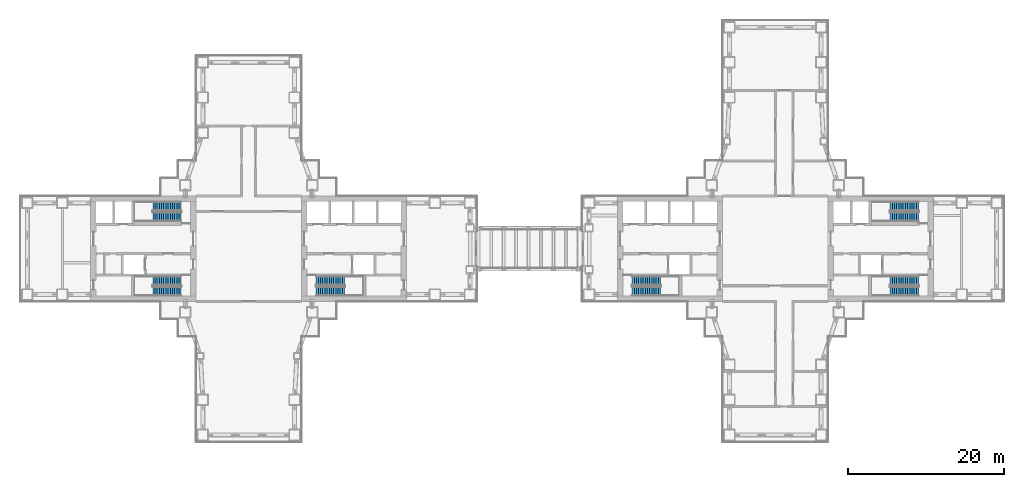
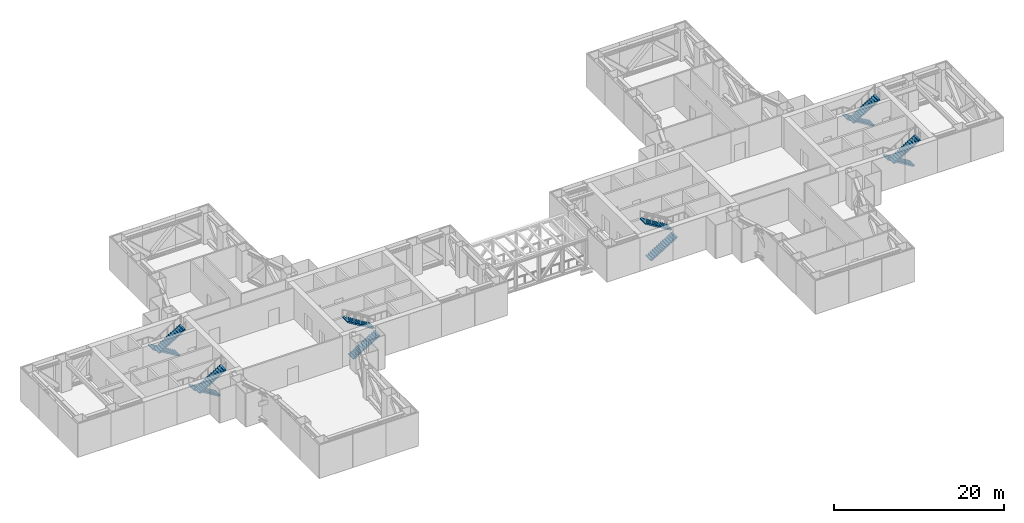
# One storey, part 15 of 23: 12 stair flights, 6 elements without a shape of their own.
"""IFC4 building model written with IfcOpenShell, lengths in metres."""

from ifc_helpers import new_model, si_unit, direction, frame, origin, place, context, subcontext, project, spatial, polyline, outline, extrude, material, type_object, element, aggregate, save


model = new_model("IFC4")

# Units and contexts
model_context = context("Model", 3, precision=1e-05, world=origin(), true_north=direction((0.0, 1.0)))
body_context = subcontext(model_context, "Body", "Model", "MODEL_VIEW")
ifc_project = project(units=[si_unit("LENGTHUNIT", "METRE"), si_unit("AREAUNIT", "SQUARE_METRE"), si_unit("VOLUMEUNIT", "CUBIC_METRE"), si_unit("PLANEANGLEUNIT", "RADIAN"), si_unit("MASSUNIT", "GRAM", prefix="KILO")], contexts=[model_context])

# Site, building, storey
site_placement = place(None, origin())
site = spatial("IfcSite", under=ifc_project, at=site_placement, CompositionType="ELEMENT")
building_placement = place(site_placement, origin())
building = spatial("IfcBuilding", under=site, at=building_placement, Name="Shamsa Quay Exchange Towers", CompositionType="ELEMENT")
storey_placement = place(building_placement, frame((0.0, 0.0, 77.10009765625)))
storey = spatial("IfcBuildingStorey", under=building, at=storey_placement, Name="L17", CompositionType="ELEMENT", Elevation=77.10009765625)

# Stair, stair flights
ifc_material = material(Name="Concrete C40/50", Category="concrete")
stair_type = type_object("IfcStairType", Name="EXIT STAIR 28 RISERS 171 MM", PredefinedType="HALF_TURN_STAIR", material=ifc_material)
stair_1_placement = place(storey_placement, origin())
stair_1 = element("IfcStair", 1, at=stair_1_placement, inside=storey, type_object=stair_type, Name="L17 Exit stair ST1", PredefinedType="HALF_TURN_STAIR")
stair_flight_type = type_object("IfcStairFlightType", Name="EXIT STAIR FLIGHT 14 RISERS 171 MM", PredefinedType="STRAIGHT", material=ifc_material)
stair_flight_1_placement = place(storey_placement, frame((-25.10009765625, -5.449951171875, 0.0)))
stair_flight_1 = element("IfcStairFlight", 2, at=stair_flight_1_placement, type_object=stair_flight_type, Name="ST1 flight 1", NumberOfRisers=14, NumberOfTreads=13, PredefinedType="STRAIGHT", RiserHeight=0.171428571, TreadLength=0.28, context=body_context, shape_type="SweptSolid", body=[
    extrude(outline(polyline([(0.0, 0.0), (0.0, 0.17138671875), (0.280029296875, 0.17138671875), (0.280029296875, 0.3427734375), (0.56005859375, 0.3427734375), (0.56005859375, 0.514404296875), (0.840087890625, 0.514404296875), (0.840087890625, 0.685791015625), (1.1201171875, 0.685791015625), (1.1201171875, 0.857177734375), (1.39990234375, 0.857177734375), (1.39990234375, 1.028564453125), (1.679931640625, 1.028564453125), (1.679931640625, 1.199951171875), (1.9599609375, 1.199951171875), (1.9599609375, 1.371337890625), (2.239990234375, 1.371337890625), (2.239990234375, 1.54296875), (2.52001953125, 1.54296875), (2.52001953125, 1.71435546875), (2.800048828125, 1.71435546875), (2.800048828125, 1.8857421875), (3.080078125, 1.8857421875), (3.080078125, 2.05712890625), (3.360107421875, 2.05712890625), (3.360107421875, 2.228515625), (3.639892578125, 2.228515625), (3.639892578125, 2.39990234375), (3.639892578125, 2.064453125), (0.267822265625, 0.0), (0.0, 0.0)])), frame((0.0, 0.60009765625, 0.0), z_axis=(0.0, -1.0, 0.0), x_axis=(1.0, 0.0, 0.0)), (0.0, 0.0, 1.0), 1.199951171875),
])
stair_flight_2_placement = place(storey_placement, frame((-21.4599609375, -4.10009765625, 2.39990234375), z_axis=(0.0, 0.0, 1.0), x_axis=(-1.0, 0.0, 0.0)))
stair_flight_2 = element("IfcStairFlight", 3, at=stair_flight_2_placement, type_object=stair_flight_type, Name="ST1 flight 2", NumberOfRisers=14, NumberOfTreads=13, PredefinedType="STRAIGHT", RiserHeight=0.171428571, TreadLength=0.28, context=body_context, shape_type="SweptSolid", body=[
    extrude(outline(polyline([(0.0, 0.0), (0.0, 0.17138671875), (0.280029296875, 0.17138671875), (0.280029296875, 0.3427734375), (0.56005859375, 0.3427734375), (0.56005859375, 0.514404296875), (0.840087890625, 0.514404296875), (0.840087890625, 0.685791015625), (1.1201171875, 0.685791015625), (1.1201171875, 0.857177734375), (1.39990234375, 0.857177734375), (1.39990234375, 1.028564453125), (1.679931640625, 1.028564453125), (1.679931640625, 1.199951171875), (1.9599609375, 1.199951171875), (1.9599609375, 1.371337890625), (2.239990234375, 1.371337890625), (2.239990234375, 1.54296875), (2.52001953125, 1.54296875), (2.52001953125, 1.71435546875), (2.800048828125, 1.71435546875), (2.800048828125, 1.8857421875), (3.080078125, 1.8857421875), (3.080078125, 2.05712890625), (3.360107421875, 2.05712890625), (3.360107421875, 2.228515625), (3.639892578125, 2.228515625), (3.639892578125, 2.39990234375), (3.639892578125, 2.064453125), (0.267822265625, 0.0), (0.0, 0.0)])), frame((0.0, 0.60009765625, 0.0), z_axis=(0.0, -1.0, 0.0), x_axis=(1.0, 0.0, 0.0)), (0.0, 0.0, 1.0), 1.199951171875),
])
aggregate(stair_1, [stair_flight_1, stair_flight_2])

stair_2_placement = place(storey_placement, origin())
stair_2 = element("IfcStair", 4, at=stair_2_placement, inside=storey, type_object=stair_type, Name="L17 Exit stair ST2", PredefinedType="HALF_TURN_STAIR")
stair_flight_3_placement = place(storey_placement, frame((-42.39990234375, -4.10009765625, 0.0), z_axis=(0.0, 0.0, 1.0), x_axis=(-1.0, 0.0, 0.0)))
stair_flight_3 = element("IfcStairFlight", 5, at=stair_flight_3_placement, type_object=stair_flight_type, Name="ST2 flight 1", NumberOfRisers=14, NumberOfTreads=13, PredefinedType="STRAIGHT", RiserHeight=0.171428571, TreadLength=0.28, context=body_context, shape_type="SweptSolid", body=[
    extrude(outline(polyline([(0.0, 0.0), (0.0, 0.17138671875), (0.280029296875, 0.17138671875), (0.280029296875, 0.3427734375), (0.56005859375, 0.3427734375), (0.56005859375, 0.514404296875), (0.840087890625, 0.514404296875), (0.840087890625, 0.685791015625), (1.1201171875, 0.685791015625), (1.1201171875, 0.857177734375), (1.39990234375, 0.857177734375), (1.39990234375, 1.028564453125), (1.679931640625, 1.028564453125), (1.679931640625, 1.199951171875), (1.9599609375, 1.199951171875), (1.9599609375, 1.371337890625), (2.239990234375, 1.371337890625), (2.239990234375, 1.54296875), (2.52001953125, 1.54296875), (2.52001953125, 1.71435546875), (2.800048828125, 1.71435546875), (2.800048828125, 1.8857421875), (3.080078125, 1.8857421875), (3.080078125, 2.05712890625), (3.360107421875, 2.05712890625), (3.360107421875, 2.228515625), (3.639892578125, 2.228515625), (3.639892578125, 2.39990234375), (3.639892578125, 2.064453125), (0.267822265625, 0.0), (0.0, 0.0)])), frame((0.0, 0.60009765625, 0.0), z_axis=(0.0, -1.0, 0.0), x_axis=(1.0, 0.0, 0.0)), (0.0, 0.0, 1.0), 1.199951171875),
])
stair_flight_4_placement = place(storey_placement, frame((-46.0400390625, -5.449951171875, 2.39990234375)))
stair_flight_4 = element("IfcStairFlight", 6, at=stair_flight_4_placement, type_object=stair_flight_type, Name="ST2 flight 2", NumberOfRisers=14, NumberOfTreads=13, PredefinedType="STRAIGHT", RiserHeight=0.171428571, TreadLength=0.28, context=body_context, shape_type="SweptSolid", body=[
    extrude(outline(polyline([(0.0, 0.0), (0.0, 0.17138671875), (0.280029296875, 0.17138671875), (0.280029296875, 0.3427734375), (0.56005859375, 0.3427734375), (0.56005859375, 0.514404296875), (0.840087890625, 0.514404296875), (0.840087890625, 0.685791015625), (1.1201171875, 0.685791015625), (1.1201171875, 0.857177734375), (1.39990234375, 0.857177734375), (1.39990234375, 1.028564453125), (1.679931640625, 1.028564453125), (1.679931640625, 1.199951171875), (1.9599609375, 1.199951171875), (1.9599609375, 1.371337890625), (2.239990234375, 1.371337890625), (2.239990234375, 1.54296875), (2.52001953125, 1.54296875), (2.52001953125, 1.71435546875), (2.800048828125, 1.71435546875), (2.800048828125, 1.8857421875), (3.080078125, 1.8857421875), (3.080078125, 2.05712890625), (3.360107421875, 2.05712890625), (3.360107421875, 2.228515625), (3.639892578125, 2.228515625), (3.639892578125, 2.39990234375), (3.639892578125, 2.064453125), (0.267822265625, 0.0), (0.0, 0.0)])), frame((0.0, 0.60009765625, 0.0), z_axis=(0.0, -1.0, 0.0), x_axis=(1.0, 0.0, 0.0)), (0.0, 0.0, 1.0), 1.199951171875),
])
aggregate(stair_2, [stair_flight_3, stair_flight_4])

stair_3_placement = place(storey_placement, origin())
stair_3 = element("IfcStair", 7, at=stair_3_placement, inside=storey, type_object=stair_type, Name="L17 Exit stair ST3", PredefinedType="HALF_TURN_STAIR")
stair_flight_5_placement = place(storey_placement, frame((-42.39990234375, 5.449951171875, 0.0), z_axis=(0.0, 0.0, 1.0), x_axis=(-1.0, 0.0, 0.0)))
stair_flight_5 = element("IfcStairFlight", 8, at=stair_flight_5_placement, type_object=stair_flight_type, Name="ST3 flight 1", NumberOfRisers=14, NumberOfTreads=13, PredefinedType="STRAIGHT", RiserHeight=0.171428571, TreadLength=0.28, context=body_context, shape_type="SweptSolid", body=[
    extrude(outline(polyline([(0.0, 0.0), (0.0, 0.17138671875), (0.280029296875, 0.17138671875), (0.280029296875, 0.3427734375), (0.56005859375, 0.3427734375), (0.56005859375, 0.514404296875), (0.840087890625, 0.514404296875), (0.840087890625, 0.685791015625), (1.1201171875, 0.685791015625), (1.1201171875, 0.857177734375), (1.39990234375, 0.857177734375), (1.39990234375, 1.028564453125), (1.679931640625, 1.028564453125), (1.679931640625, 1.199951171875), (1.9599609375, 1.199951171875), (1.9599609375, 1.371337890625), (2.239990234375, 1.371337890625), (2.239990234375, 1.54296875), (2.52001953125, 1.54296875), (2.52001953125, 1.71435546875), (2.800048828125, 1.71435546875), (2.800048828125, 1.8857421875), (3.080078125, 1.8857421875), (3.080078125, 2.05712890625), (3.360107421875, 2.05712890625), (3.360107421875, 2.228515625), (3.639892578125, 2.228515625), (3.639892578125, 2.39990234375), (3.639892578125, 2.064453125), (0.267822265625, 0.0), (0.0, 0.0)])), frame((0.0, 0.60009765625, 0.0), z_axis=(0.0, -1.0, 0.0), x_axis=(1.0, 0.0, 0.0)), (0.0, 0.0, 1.0), 1.199951171875),
])
stair_flight_6_placement = place(storey_placement, frame((-46.0400390625, 4.10009765625, 2.39990234375)))
stair_flight_6 = element("IfcStairFlight", 9, at=stair_flight_6_placement, type_object=stair_flight_type, Name="ST3 flight 2", NumberOfRisers=14, NumberOfTreads=13, PredefinedType="STRAIGHT", RiserHeight=0.171428571, TreadLength=0.28, context=body_context, shape_type="SweptSolid", body=[
    extrude(outline(polyline([(0.0, 0.0), (0.0, 0.17138671875), (0.280029296875, 0.17138671875), (0.280029296875, 0.3427734375), (0.56005859375, 0.3427734375), (0.56005859375, 0.514404296875), (0.840087890625, 0.514404296875), (0.840087890625, 0.685791015625), (1.1201171875, 0.685791015625), (1.1201171875, 0.857177734375), (1.39990234375, 0.857177734375), (1.39990234375, 1.028564453125), (1.679931640625, 1.028564453125), (1.679931640625, 1.199951171875), (1.9599609375, 1.199951171875), (1.9599609375, 1.371337890625), (2.239990234375, 1.371337890625), (2.239990234375, 1.54296875), (2.52001953125, 1.54296875), (2.52001953125, 1.71435546875), (2.800048828125, 1.71435546875), (2.800048828125, 1.8857421875), (3.080078125, 1.8857421875), (3.080078125, 2.05712890625), (3.360107421875, 2.05712890625), (3.360107421875, 2.228515625), (3.639892578125, 2.228515625), (3.639892578125, 2.39990234375), (3.639892578125, 2.064453125), (0.267822265625, 0.0), (0.0, 0.0)])), frame((0.0, 0.60009765625, 0.0), z_axis=(0.0, -1.0, 0.0), x_axis=(1.0, 0.0, 0.0)), (0.0, 0.0, 1.0), 1.199951171875),
])
aggregate(stair_3, [stair_flight_5, stair_flight_6])

stair_4_placement = place(storey_placement, origin())
stair_4 = element("IfcStair", 10, at=stair_4_placement, inside=storey, type_object=stair_type, Name="L17 Exit stair ST4", PredefinedType="HALF_TURN_STAIR")
stair_flight_7_placement = place(storey_placement, frame((15.39990234375, -5.449951171875, 0.0)))
stair_flight_7 = element("IfcStairFlight", 11, at=stair_flight_7_placement, type_object=stair_flight_type, Name="ST4 flight 1", NumberOfRisers=14, NumberOfTreads=13, PredefinedType="STRAIGHT", RiserHeight=0.171428571, TreadLength=0.28, context=body_context, shape_type="SweptSolid", body=[
    extrude(outline(polyline([(0.0, 0.0), (0.0, 0.17138671875), (0.280029296875, 0.17138671875), (0.280029296875, 0.3427734375), (0.56005859375, 0.3427734375), (0.56005859375, 0.514404296875), (0.840087890625, 0.514404296875), (0.840087890625, 0.685791015625), (1.1201171875, 0.685791015625), (1.1201171875, 0.857177734375), (1.39990234375, 0.857177734375), (1.39990234375, 1.028564453125), (1.679931640625, 1.028564453125), (1.679931640625, 1.199951171875), (1.9599609375, 1.199951171875), (1.9599609375, 1.371337890625), (2.239990234375, 1.371337890625), (2.239990234375, 1.54296875), (2.52001953125, 1.54296875), (2.52001953125, 1.71435546875), (2.800048828125, 1.71435546875), (2.800048828125, 1.8857421875), (3.080078125, 1.8857421875), (3.080078125, 2.05712890625), (3.360107421875, 2.05712890625), (3.360107421875, 2.228515625), (3.639892578125, 2.228515625), (3.639892578125, 2.39990234375), (3.639892578125, 2.064453125), (0.267822265625, 0.0), (0.0, 0.0)])), frame((0.0, 0.60009765625, 0.0), z_axis=(0.0, -1.0, 0.0), x_axis=(1.0, 0.0, 0.0)), (0.0, 0.0, 1.0), 1.199951171875),
])
stair_flight_8_placement = place(storey_placement, frame((19.0400390625, -4.10009765625, 2.39990234375), z_axis=(0.0, 0.0, 1.0), x_axis=(-1.0, 0.0, 0.0)))
stair_flight_8 = element("IfcStairFlight", 12, at=stair_flight_8_placement, type_object=stair_flight_type, Name="ST4 flight 2", NumberOfRisers=14, NumberOfTreads=13, PredefinedType="STRAIGHT", RiserHeight=0.171428571, TreadLength=0.28, context=body_context, shape_type="SweptSolid", body=[
    extrude(outline(polyline([(0.0, 0.0), (0.0, 0.17138671875), (0.280029296875, 0.17138671875), (0.280029296875, 0.3427734375), (0.56005859375, 0.3427734375), (0.56005859375, 0.514404296875), (0.840087890625, 0.514404296875), (0.840087890625, 0.685791015625), (1.1201171875, 0.685791015625), (1.1201171875, 0.857177734375), (1.39990234375, 0.857177734375), (1.39990234375, 1.028564453125), (1.679931640625, 1.028564453125), (1.679931640625, 1.199951171875), (1.9599609375, 1.199951171875), (1.9599609375, 1.371337890625), (2.239990234375, 1.371337890625), (2.239990234375, 1.54296875), (2.52001953125, 1.54296875), (2.52001953125, 1.71435546875), (2.800048828125, 1.71435546875), (2.800048828125, 1.8857421875), (3.080078125, 1.8857421875), (3.080078125, 2.05712890625), (3.360107421875, 2.05712890625), (3.360107421875, 2.228515625), (3.639892578125, 2.228515625), (3.639892578125, 2.39990234375), (3.639892578125, 2.064453125), (0.267822265625, 0.0), (0.0, 0.0)])), frame((0.0, 0.60009765625, 0.0), z_axis=(0.0, -1.0, 0.0), x_axis=(1.0, 0.0, 0.0)), (0.0, 0.0, 1.0), 1.199951171875),
])
aggregate(stair_4, [stair_flight_7, stair_flight_8])

stair_5_placement = place(storey_placement, origin())
stair_5 = element("IfcStair", 13, at=stair_5_placement, inside=storey, type_object=stair_type, Name="L17 Exit stair ST5", PredefinedType="HALF_TURN_STAIR")
stair_flight_9_placement = place(storey_placement, frame((52.10009765625, -4.10009765625, 0.0), z_axis=(0.0, 0.0, 1.0), x_axis=(-1.0, 0.0, 0.0)))
stair_flight_9 = element("IfcStairFlight", 14, at=stair_flight_9_placement, type_object=stair_flight_type, Name="ST5 flight 1", NumberOfRisers=14, NumberOfTreads=13, PredefinedType="STRAIGHT", RiserHeight=0.171428571, TreadLength=0.28, context=body_context, shape_type="SweptSolid", body=[
    extrude(outline(polyline([(0.0, 0.0), (0.0, 0.17138671875), (0.280029296875, 0.17138671875), (0.280029296875, 0.3427734375), (0.56005859375, 0.3427734375), (0.56005859375, 0.514404296875), (0.840087890625, 0.514404296875), (0.840087890625, 0.685791015625), (1.1201171875, 0.685791015625), (1.1201171875, 0.857177734375), (1.39990234375, 0.857177734375), (1.39990234375, 1.028564453125), (1.679931640625, 1.028564453125), (1.679931640625, 1.199951171875), (1.9599609375, 1.199951171875), (1.9599609375, 1.371337890625), (2.239990234375, 1.371337890625), (2.239990234375, 1.54296875), (2.52001953125, 1.54296875), (2.52001953125, 1.71435546875), (2.800048828125, 1.71435546875), (2.800048828125, 1.8857421875), (3.080078125, 1.8857421875), (3.080078125, 2.05712890625), (3.360107421875, 2.05712890625), (3.360107421875, 2.228515625), (3.639892578125, 2.228515625), (3.639892578125, 2.39990234375), (3.639892578125, 2.064453125), (0.267822265625, 0.0), (0.0, 0.0)])), frame((0.0, 0.60009765625, 0.0), z_axis=(0.0, -1.0, 0.0), x_axis=(1.0, 0.0, 0.0)), (0.0, 0.0, 1.0), 1.199951171875),
])
stair_flight_10_placement = place(storey_placement, frame((48.4599609375, -5.449951171875, 2.39990234375)))
stair_flight_10 = element("IfcStairFlight", 15, at=stair_flight_10_placement, type_object=stair_flight_type, Name="ST5 flight 2", NumberOfRisers=14, NumberOfTreads=13, PredefinedType="STRAIGHT", RiserHeight=0.171428571, TreadLength=0.28, context=body_context, shape_type="SweptSolid", body=[
    extrude(outline(polyline([(0.0, 0.0), (0.0, 0.17138671875), (0.280029296875, 0.17138671875), (0.280029296875, 0.3427734375), (0.56005859375, 0.3427734375), (0.56005859375, 0.514404296875), (0.840087890625, 0.514404296875), (0.840087890625, 0.685791015625), (1.1201171875, 0.685791015625), (1.1201171875, 0.857177734375), (1.39990234375, 0.857177734375), (1.39990234375, 1.028564453125), (1.679931640625, 1.028564453125), (1.679931640625, 1.199951171875), (1.9599609375, 1.199951171875), (1.9599609375, 1.371337890625), (2.239990234375, 1.371337890625), (2.239990234375, 1.54296875), (2.52001953125, 1.54296875), (2.52001953125, 1.71435546875), (2.800048828125, 1.71435546875), (2.800048828125, 1.8857421875), (3.080078125, 1.8857421875), (3.080078125, 2.05712890625), (3.360107421875, 2.05712890625), (3.360107421875, 2.228515625), (3.639892578125, 2.228515625), (3.639892578125, 2.39990234375), (3.639892578125, 2.064453125), (0.267822265625, 0.0), (0.0, 0.0)])), frame((0.0, 0.60009765625, 0.0), z_axis=(0.0, -1.0, 0.0), x_axis=(1.0, 0.0, 0.0)), (0.0, 0.0, 1.0), 1.199951171875),
])
aggregate(stair_5, [stair_flight_9, stair_flight_10])

stair_6_placement = place(storey_placement, origin())
stair_6 = element("IfcStair", 16, at=stair_6_placement, inside=storey, type_object=stair_type, Name="L17 Exit stair ST6", PredefinedType="HALF_TURN_STAIR")
stair_flight_11_placement = place(storey_placement, frame((52.10009765625, 5.449951171875, 0.0), z_axis=(0.0, 0.0, 1.0), x_axis=(-1.0, 0.0, 0.0)))
stair_flight_11 = element("IfcStairFlight", 17, at=stair_flight_11_placement, type_object=stair_flight_type, Name="ST6 flight 1", NumberOfRisers=14, NumberOfTreads=13, PredefinedType="STRAIGHT", RiserHeight=0.171428571, TreadLength=0.28, context=body_context, shape_type="SweptSolid", body=[
    extrude(outline(polyline([(0.0, 0.0), (0.0, 0.17138671875), (0.280029296875, 0.17138671875), (0.280029296875, 0.3427734375), (0.56005859375, 0.3427734375), (0.56005859375, 0.514404296875), (0.840087890625, 0.514404296875), (0.840087890625, 0.685791015625), (1.1201171875, 0.685791015625), (1.1201171875, 0.857177734375), (1.39990234375, 0.857177734375), (1.39990234375, 1.028564453125), (1.679931640625, 1.028564453125), (1.679931640625, 1.199951171875), (1.9599609375, 1.199951171875), (1.9599609375, 1.371337890625), (2.239990234375, 1.371337890625), (2.239990234375, 1.54296875), (2.52001953125, 1.54296875), (2.52001953125, 1.71435546875), (2.800048828125, 1.71435546875), (2.800048828125, 1.8857421875), (3.080078125, 1.8857421875), (3.080078125, 2.05712890625), (3.360107421875, 2.05712890625), (3.360107421875, 2.228515625), (3.639892578125, 2.228515625), (3.639892578125, 2.39990234375), (3.639892578125, 2.064453125), (0.267822265625, 0.0), (0.0, 0.0)])), frame((0.0, 0.60009765625, 0.0), z_axis=(0.0, -1.0, 0.0), x_axis=(1.0, 0.0, 0.0)), (0.0, 0.0, 1.0), 1.199951171875),
])
stair_flight_12_placement = place(storey_placement, frame((48.4599609375, 4.10009765625, 2.39990234375)))
stair_flight_12 = element("IfcStairFlight", 18, at=stair_flight_12_placement, type_object=stair_flight_type, Name="ST6 flight 2", NumberOfRisers=14, NumberOfTreads=13, PredefinedType="STRAIGHT", RiserHeight=0.171428571, TreadLength=0.28, context=body_context, shape_type="SweptSolid", body=[
    extrude(outline(polyline([(0.0, 0.0), (0.0, 0.17138671875), (0.280029296875, 0.17138671875), (0.280029296875, 0.3427734375), (0.56005859375, 0.3427734375), (0.56005859375, 0.514404296875), (0.840087890625, 0.514404296875), (0.840087890625, 0.685791015625), (1.1201171875, 0.685791015625), (1.1201171875, 0.857177734375), (1.39990234375, 0.857177734375), (1.39990234375, 1.028564453125), (1.679931640625, 1.028564453125), (1.679931640625, 1.199951171875), (1.9599609375, 1.199951171875), (1.9599609375, 1.371337890625), (2.239990234375, 1.371337890625), (2.239990234375, 1.54296875), (2.52001953125, 1.54296875), (2.52001953125, 1.71435546875), (2.800048828125, 1.71435546875), (2.800048828125, 1.8857421875), (3.080078125, 1.8857421875), (3.080078125, 2.05712890625), (3.360107421875, 2.05712890625), (3.360107421875, 2.228515625), (3.639892578125, 2.228515625), (3.639892578125, 2.39990234375), (3.639892578125, 2.064453125), (0.267822265625, 0.0), (0.0, 0.0)])), frame((0.0, 0.60009765625, 0.0), z_axis=(0.0, -1.0, 0.0), x_axis=(1.0, 0.0, 0.0)), (0.0, 0.0, 1.0), 1.199951171875),
])
aggregate(stair_6, [stair_flight_11, stair_flight_12])

save(model, "model.ifc")
